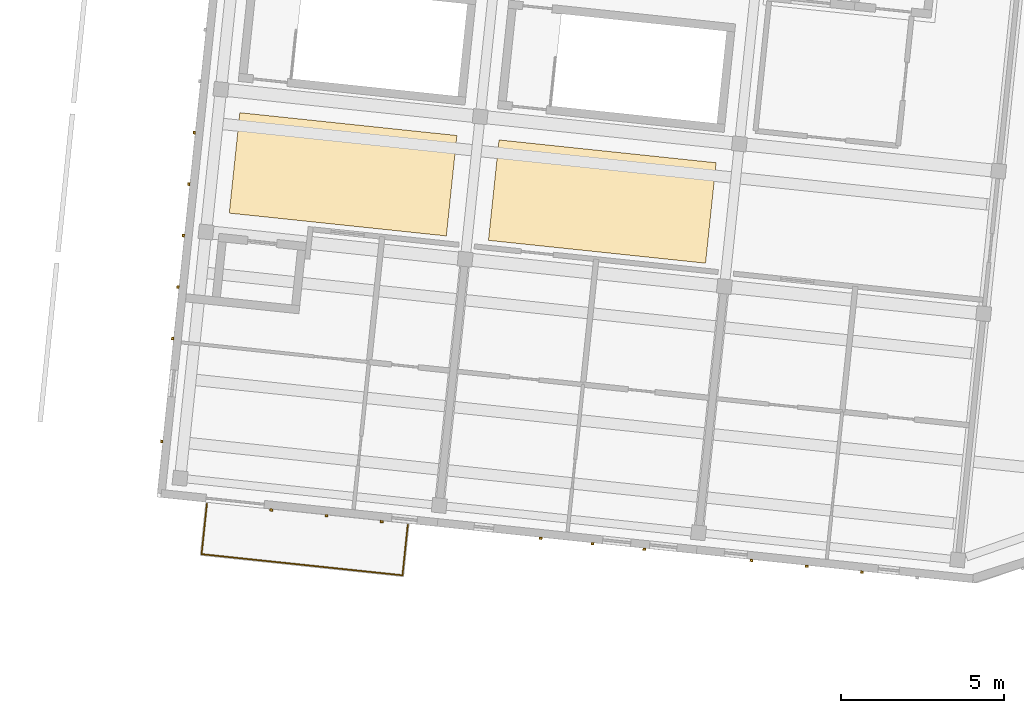
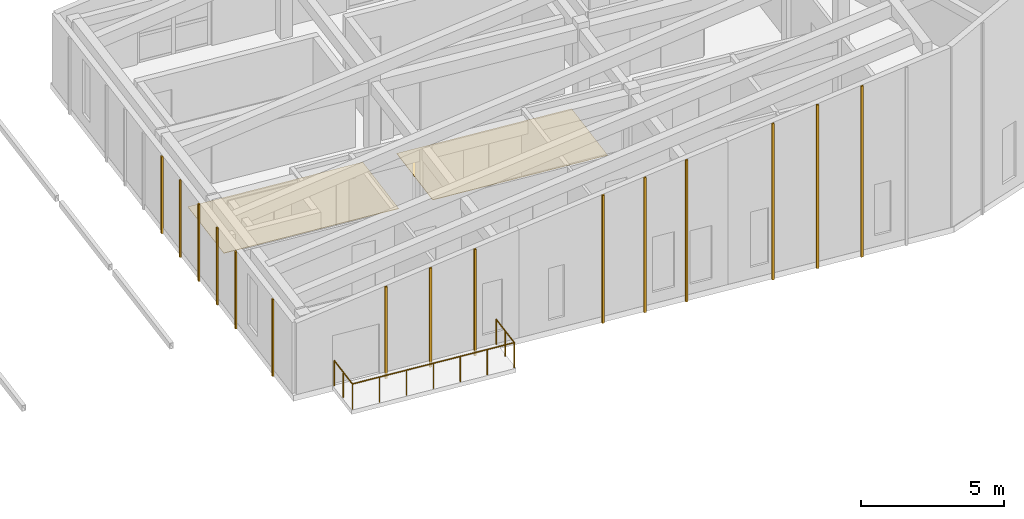
# One storey, part 28 of 31: 17 coverings, 1 railing.
"""IFC4 building model written with IfcOpenShell, lengths in metres."""

import ifcopenshell
import ifcopenshell.guid

model = None  # the IFC model being written
_history = None  # IfcOwnerHistory: only IFC2X3 demands one
_inside = {}  # id of a spatial element -> (the spatial element, [elements in it])
_under = {}  # id of a project, library or spatial element -> (it, [spatial elements below it])
_declared = {}  # id of a project -> (the project, [libraries it declares])
_typed = {}  # id of a type object -> (the type object, [elements of that type])
_made_of = {}  # id of a material, layer set ... -> (it, [elements and type objects made of it])


def new_model(schema):
    """Start an empty IFC model of exactly this schema.

    Asked for "IFC4X3", IfcOpenShell would pick the latest addendum, in which some entities
    have other attributes; the version numbers below select the first issue.
    IFC2X3 requires an IfcOwnerHistory on every rooted entity: one is made here for all.
    """
    global model, _history
    if schema == "IFC4X3":
        model = ifcopenshell.file(schema_version=(4, 3, 0, 0))
    else:
        model = ifcopenshell.file(schema=schema)
    _inside.clear()
    _under.clear()
    _declared.clear()
    _typed.clear()
    _made_of.clear()
    _history = None
    if model.schema == "IFC2X3":
        org = make("IfcOrganization", Name="unknown")
        user = make(
            "IfcPersonAndOrganization",
            ThePerson=make("IfcPerson", FamilyName="unknown"),
            TheOrganization=org,
        )
        app = make(
            "IfcApplication",
            ApplicationDeveloper=org,
            Version="unknown",
            ApplicationFullName="unknown",
            ApplicationIdentifier="unknown",
        )
        _history = make(
            "IfcOwnerHistory",
            OwningUser=user,
            OwningApplication=app,
            ChangeAction="ADDED",
            CreationDate=0,
        )
    return model


def make(cls, **values):
    """One entity of the class cls with the attributes given. An attribute that is None is left unset."""
    return model.create_entity(
        cls, **{name: value for name, value in values.items() if value is not None}
    )


def rooted(cls, **values):
    """An entity with a GlobalId (a new one), such as an element, a storey or a relation."""
    return make(cls, GlobalId=ifcopenshell.guid.new(), OwnerHistory=_history, **values)


def si_unit(unit_type, name, prefix=None):
    """IfcSIUnit, for example si_unit("LENGTHUNIT", "METRE", prefix="MILLI")."""
    return make("IfcSIUnit", UnitType=unit_type, Prefix=prefix, Name=name)


def assignment(units):
    """IfcUnitAssignment: the units of a project."""
    return None if units is None else make("IfcUnitAssignment", Units=units)


def point(xyz):
    """IfcCartesianPoint."""
    return None if xyz is None else make("IfcCartesianPoint", Coordinates=xyz)


def direction(xyz):
    """IfcDirection."""
    return None if xyz is None else make("IfcDirection", DirectionRatios=xyz)


def frame(location, z_axis=None, x_axis=None):
    """IfcAxis2Placement3D, a coordinate frame: its origin and axes. An axis left out is left unset."""
    return make(
        "IfcAxis2Placement3D",
        Location=point(location),
        Axis=direction(z_axis),
        RefDirection=direction(x_axis),
    )


def frame_2d(location, x_axis=None):
    """IfcAxis2Placement2D, a coordinate frame in the plane: its origin and x axis."""
    return make(
        "IfcAxis2Placement2D", Location=point(location), RefDirection=direction(x_axis)
    )


def origin():
    """The frame at (0, 0, 0) with its axes left unset."""
    return frame((0.0, 0.0, 0.0))


def origin_2d():
    """The frame at (0, 0) in the plane with its x axis left unset."""
    return frame_2d((0.0, 0.0))


def place(relative_to, where):
    """IfcLocalPlacement: puts the frame where relative to a parent placement (None: the world)."""
    return make(
        "IfcLocalPlacement", PlacementRelTo=relative_to, RelativePlacement=where
    )


def context(
    kind, dimensions, precision=None, world=None, true_north=None, identifier=None
):
    """IfcGeometricRepresentationContext, for example the 3D "Model" context."""
    return make(
        "IfcGeometricRepresentationContext",
        ContextIdentifier=identifier,
        ContextType=kind,
        CoordinateSpaceDimension=dimensions,
        Precision=precision,
        WorldCoordinateSystem=world,
        TrueNorth=true_north,
    )


def subcontext(parent, identifier, kind, view, scale=None):
    """IfcGeometricRepresentationSubContext, for example "Body" below "Model"."""
    return make(
        "IfcGeometricRepresentationSubContext",
        ContextIdentifier=identifier,
        ContextType=kind,
        ParentContext=parent,
        TargetScale=scale,
        TargetView=view,
    )


def project(units=None, contexts=None):
    """IfcProject with its units and contexts."""
    return rooted(
        "IfcProject",
        Name="project",
        RepresentationContexts=contexts,
        UnitsInContext=assignment(units),
    )


def spatial(cls, under=None, at=None, **own):
    """A site, building, storey or space (cls), placed at a placement, below another one or the project."""
    s = rooted(cls, ObjectPlacement=at, **own)
    if under is not None:
        _under.setdefault(under.id(), (under, []))[1].append(s)
    return s


def polyline(points):
    """IfcPolyline through the points."""
    return make("IfcPolyline", Points=[point(p) for p in points])


def profile(cls, at=None, kind="AREA", **sizes):
    """A parametric profile (cls). Its sizes go by their IFC names, for example OverallWidth=200.0."""
    return make(cls, ProfileType=kind, Position=at, **sizes)


def rectangle(**sizes):
    """IfcRectangleProfileDef."""
    return profile("IfcRectangleProfileDef", **sizes)


def circle(**sizes):
    """IfcCircleProfileDef."""
    return profile("IfcCircleProfileDef", **sizes)


def outline(outer, holes=None, kind="AREA"):
    """IfcArbitraryClosedProfileDef: a profile drawn as a closed curve; with holes, ...WithVoids."""
    if holes is None:
        return make("IfcArbitraryClosedProfileDef", ProfileType=kind, OuterCurve=outer)
    return make(
        "IfcArbitraryProfileDefWithVoids",
        ProfileType=kind,
        OuterCurve=outer,
        InnerCurves=holes,
    )


def extrude(swept, where, along, depth):
    """IfcExtrudedAreaSolid: the profile swept, set in the frame where, extruded along a direction by depth."""
    return make(
        "IfcExtrudedAreaSolid",
        SweptArea=swept,
        Position=where,
        ExtrudedDirection=direction(along),
        Depth=depth,
    )


def shape(context_of_items, identifier, shape_type, items):
    """IfcShapeRepresentation: the items that make up one representation, for example the "Body"."""
    return make(
        "IfcShapeRepresentation",
        ContextOfItems=context_of_items,
        RepresentationIdentifier=identifier,
        RepresentationType=shape_type,
        Items=items,
    )


def material(Name=None, Category=None):
    """IfcMaterial."""
    return make("IfcMaterial", Name=Name, Category=Category)


def layer(
    of_material, thickness, ventilated=None, Name=None, Category=None, Priority=None
):
    """IfcMaterialLayer: one layer of a wall or slab, of a material (None: an air gap)."""
    return make(
        "IfcMaterialLayer",
        Material=of_material,
        LayerThickness=thickness,
        IsVentilated=ventilated,
        Name=Name,
        Category=Category,
        Priority=Priority,
    )


def layer_set(layers, Name=None):
    """IfcMaterialLayerSet."""
    return make("IfcMaterialLayerSet", MaterialLayers=layers, LayerSetName=Name)


def made_of(thing, what):
    """Note that an element or type object is made of a material, layer set ...; save() writes the relation."""
    if what is not None:
        _made_of.setdefault(what.id(), (what, []))[1].append(thing)
    return thing


def type_object(cls, material=None, **own):
    """A type object (cls), such as IfcWallType, which elements share."""
    return made_of(rooted(cls, **own), material)


def element(
    cls,
    number,
    at=None,
    inside=None,
    cuts=None,
    type_object=None,
    material=None,
    context=None,
    identifier="Body",
    shape_type=None,
    held_by="IfcProductDefinitionShape",
    body=None,
    shapes=None,
    **own,
):
    """One element of the class cls, such as IfcWall. Its Tag is "e" and its number.

    at: its placement. inside: the storey or other place that contains it. cuts: it is an
    opening in that element (IfcRelVoidsElement). A single representation is given by context,
    identifier, shape_type and body (its items); several are given by shapes. held_by: the class
    of the entity that holds the representations. save() writes the other relations.
    """
    e = rooted(cls, Tag="e%d" % number, ObjectPlacement=at, **own)
    if body is not None:
        shapes = [shape(context, identifier, shape_type, body)]
    if shapes is not None:
        e.Representation = make(held_by, Representations=shapes)
    if inside is not None:
        _inside.setdefault(inside.id(), (inside, []))[1].append(e)
    if cuts is not None:
        rooted(
            "IfcRelVoidsElement", RelatingBuildingElement=cuts, RelatedOpeningElement=e
        )
    if type_object is not None:
        _typed.setdefault(type_object.id(), (type_object, []))[1].append(e)
    return made_of(e, material)


def aggregate(whole, parts):
    """IfcRelAggregates: a whole, such as a stair, and the parts it consists of."""
    return rooted("IfcRelAggregates", RelatingObject=whole, RelatedObjects=parts)


def save(model, path):
    """Write the relations noted so far, then the file.

    IfcRelAggregates (storeys below a building ...), IfcRelContainedInSpatialStructure (elements
    in a storey), IfcRelDefinesByType, IfcRelAssociatesMaterial and IfcRelDeclares: one each for
    every whole, place, type object, material and project.
    """
    for whole, parts in _under.values():
        aggregate(whole, parts)
    for where, things in _inside.values():
        rooted(
            "IfcRelContainedInSpatialStructure",
            RelatedElements=things,
            RelatingStructure=where,
        )
    for kind, things in _typed.values():
        rooted("IfcRelDefinesByType", RelatedObjects=things, RelatingType=kind)
    for what, things in _made_of.values():
        rooted("IfcRelAssociatesMaterial", RelatedObjects=things, RelatingMaterial=what)
    for by, libraries in _declared.values():
        rooted("IfcRelDeclares", RelatingContext=by, RelatedDefinitions=libraries)
    model.write(path)


model = new_model("IFC4")

# Units and contexts
model_context = context("Model", 3, precision=1e-05, world=origin(), true_north=direction((0.0, 1.0)))
body_context = subcontext(model_context, "Body", "Model", "MODEL_VIEW")
ifc_project = project(units=[si_unit("LENGTHUNIT", "METRE"), si_unit("AREAUNIT", "SQUARE_METRE"), si_unit("VOLUMEUNIT", "CUBIC_METRE"), si_unit("PLANEANGLEUNIT", "RADIAN"), si_unit("MASSUNIT", "GRAM", prefix="KILO")], contexts=[model_context])

# Site, building, storey
site_placement = place(None, origin())
site = spatial("IfcSite", under=ifc_project, at=site_placement, CompositionType="ELEMENT")
building_placement = place(site_placement, origin())
building = spatial("IfcBuilding", under=site, at=building_placement, Name="Kestramere Prow Commons", CompositionType="ELEMENT")
storey_placement = place(building_placement, frame((0.0, 0.0, 37.64990234375)))
storey = spatial("IfcBuildingStorey", under=building, at=storey_placement, Name="L11", CompositionType="ELEMENT", Elevation=37.64990234375)

# Coverings
ifc_material_1 = material(Name="Weathered Zinc-Titanium Standing-Seam Cladding")
ifc_layer_1 = layer(ifc_material_1, 0.074951171875)
ifc_layer_set_1 = layer_set([ifc_layer_1], Name="Weathered Zinc-Titanium Standing-Seam Cladding")
covering_type_1 = type_object("IfcCoveringType", Name="COV-CLAD-SEAM", PredefinedType="CLADDING", material=ifc_layer_set_1)
covering_1_placement = place(storey_placement, frame((140.05810546875, 90.95947265625, -0.25), z_axis=(0.0, 0.0, 1.0), x_axis=(-0.994521895368, 0.104528463268, 0.0)))
element("IfcCovering", 1, at=covering_1_placement, inside=storey, type_object=covering_type_1, Name="EW-B-L11-S-3 Standing-Seam Rib 1", PredefinedType="CLADDING", context=body_context, shape_type="SweptSolid", body=[
    extrude(rectangle(XDim=0.0849609375, YDim=0.06494140625, at=origin_2d()), origin(), (0.0, 0.0, 1.0), 4.552978515625),
])
covering_2_placement = place(storey_placement, frame((138.362548828125, 91.1376953125, -0.25), z_axis=(0.0, 0.0, 1.0), x_axis=(-0.994521895368, 0.104528463268, 0.0)))
element("IfcCovering", 2, at=covering_2_placement, inside=storey, type_object=covering_type_1, Name="EW-B-L11-S-3 Standing-Seam Rib 2", PredefinedType="CLADDING", context=body_context, shape_type="SweptSolid", body=[
    extrude(rectangle(XDim=0.0849609375, YDim=0.06494140625, at=origin_2d()), origin(), (0.0, 0.0, 1.0), 4.23681640625),
])
covering_3_placement = place(storey_placement, frame((136.6669921875, 91.31591796875, -0.25), z_axis=(0.0, 0.0, 1.0), x_axis=(-0.994521895368, 0.104528463268, 0.0)))
element("IfcCovering", 3, at=covering_3_placement, inside=storey, type_object=covering_type_1, Name="EW-B-L11-S-3 Standing-Seam Rib 3", PredefinedType="CLADDING", context=body_context, shape_type="SweptSolid", body=[
    extrude(rectangle(XDim=0.0849609375, YDim=0.06494140625, at=origin_2d()), origin(), (0.0, 0.0, 1.0), 3.92041015625),
])
covering_4_placement = place(storey_placement, frame((148.118896484375, 90.1123046875, -0.25), z_axis=(0.0, 0.0, 1.0), x_axis=(-0.994521895368, 0.104528463268, 0.0)))
element("IfcCovering", 4, at=covering_4_placement, inside=storey, type_object=covering_type_1, Name="EW-B-L11-S-4 Standing-Seam Rib 1", PredefinedType="CLADDING", context=body_context, shape_type="SweptSolid", body=[
    extrude(rectangle(XDim=0.0849609375, YDim=0.06494140625, at=origin_2d()), origin(), (0.0, 0.0, 1.0), 6.056884765625),
])
covering_5_placement = place(storey_placement, frame((146.527587890625, 90.279541015625, -0.25), z_axis=(0.0, 0.0, 1.0), x_axis=(-0.994521895368, 0.104528463268, 0.0)))
element("IfcCovering", 5, at=covering_5_placement, inside=storey, type_object=covering_type_1, Name="EW-B-L11-S-4 Standing-Seam Rib 2", PredefinedType="CLADDING", context=body_context, shape_type="SweptSolid", body=[
    extrude(rectangle(XDim=0.0849609375, YDim=0.06494140625, at=origin_2d()), origin(), (0.0, 0.0, 1.0), 5.760009765625),
])
covering_6_placement = place(storey_placement, frame((144.936279296875, 90.44677734375, -0.25), z_axis=(0.0, 0.0, 1.0), x_axis=(-0.994521895368, 0.104528463268, 0.0)))
element("IfcCovering", 6, at=covering_6_placement, inside=storey, type_object=covering_type_1, Name="EW-B-L11-S-4 Standing-Seam Rib 3", PredefinedType="CLADDING", context=body_context, shape_type="SweptSolid", body=[
    extrude(rectangle(XDim=0.0849609375, YDim=0.06494140625, at=origin_2d()), origin(), (0.0, 0.0, 1.0), 5.463134765625),
])
covering_7_placement = place(storey_placement, frame((154.797119140625, 89.410400390625, -0.25), z_axis=(0.0, 0.0, 1.0), x_axis=(-0.994521895368, 0.104528463268, 0.0)))
element("IfcCovering", 7, at=covering_7_placement, inside=storey, type_object=covering_type_1, Name="EW-B-L11-S-5 Standing-Seam Rib 2", PredefinedType="CLADDING", context=body_context, shape_type="SweptSolid", body=[
    extrude(rectangle(XDim=0.0849609375, YDim=0.06494140625, at=origin_2d()), origin(), (0.0, 0.0, 1.0), 7.302978515625),
])
covering_8_placement = place(storey_placement, frame((153.101318359375, 89.588623046875, -0.25), z_axis=(0.0, 0.0, 1.0), x_axis=(-0.994521895368, 0.104528463268, 0.0)))
element("IfcCovering", 8, at=covering_8_placement, inside=storey, type_object=covering_type_1, Name="EW-B-L11-S-5 Standing-Seam Rib 3", PredefinedType="CLADDING", context=body_context, shape_type="SweptSolid", body=[
    extrude(rectangle(XDim=0.0849609375, YDim=0.06494140625, at=origin_2d()), origin(), (0.0, 0.0, 1.0), 6.986572265625),
])
covering_9_placement = place(storey_placement, frame((151.40576171875, 89.766845703125, -0.25), z_axis=(0.0, 0.0, 1.0), x_axis=(-0.994521895368, 0.104528463268, 0.0)))
element("IfcCovering", 9, at=covering_9_placement, inside=storey, type_object=covering_type_1, Name="EW-B-L11-S-5 Standing-Seam Rib 4", PredefinedType="CLADDING", context=body_context, shape_type="SweptSolid", body=[
    extrude(rectangle(XDim=0.0849609375, YDim=0.06494140625, at=origin_2d()), origin(), (0.0, 0.0, 1.0), 6.670166015625),
])
for number, where, z_axis, x_axis, name in (
    (10, (133.305908203125, 93.419677734375, -0.25), (0.0, 0.0, 1.0), (0.104528463268, 0.994521895368, 0.0), "EW-B-L11-EAV Standing-Seam Rib 1"),
    (11, (133.637939453125, 96.579345703125, -0.25), (0.0, 0.0, 1.0), (0.104528463268, 0.994521895368, 0.0), "EW-B-L11-EAV Standing-Seam Rib 3"),
    (12, (133.803955078125, 98.158935546875, -0.25), (0.0, 0.0, 1.0), (0.104528463268, 0.994521895368, 0.0), "EW-B-L11-EAV Standing-Seam Rib 4"),
    (13, (133.969970703125, 99.73876953125, -0.25), (0.0, 0.0, 1.0), (0.104528463268, 0.994521895368, 0.0), "EW-B-L11-EAV Standing-Seam Rib 5"),
    (14, (134.135986328125, 101.318603515625, -0.25), (0.0, 0.0, 1.0), (0.104528463268, 0.994521895368, 0.0), "EW-B-L11-EAV Standing-Seam Rib 6"),
    (15, (134.30224609375, 102.8984375, -0.25), (0.0, 0.0, 1.0), (0.104528463268, 0.994521895368, 0.0), "EW-B-L11-EAV Standing-Seam Rib 7"),
):
    element("IfcCovering", number, at=place(storey_placement, frame(where, z_axis=z_axis, x_axis=x_axis)), inside=storey, type_object=covering_type_1, Name=name, PredefinedType="CLADDING", context=body_context, shape_type="SweptSolid", body=[
        extrude(rectangle(XDim=0.0849609375, YDim=0.06494140625, at=origin_2d()), origin(), (0.0, 0.0, 1.0), 3.28759765625),
    ])
ifc_material_2 = material(Name="Honed Cementitious Terrazzo Tile")
ifc_layer_2 = layer(ifc_material_2, 0.02001953125)
ifc_layer_set_2 = layer_set([ifc_layer_2], Name="Honed Cementitious Terrazzo Tile")
covering_type_2 = type_object("IfcCoveringType", Name="COV-FLOOR-TERRAZZO", PredefinedType="FLOORING", material=ifc_layer_set_2)
covering_10_placement = place(storey_placement, origin())
element("IfcCovering", 16, at=covering_10_placement, inside=storey, type_object=covering_type_2, Name="Block B L11 Corridor Terrazzo Flooring 4", PredefinedType="FLOORING", context=body_context, shape_type="SweptSolid", body=[
    extrude(outline(polyline([(135.37744140625, 100.42822265625), (142.04052734375, 99.727783203125), (142.36474609375, 102.810791015625), (135.701416015625, 103.51123046875), (135.37744140625, 100.42822265625)])), origin(), (0.0, 0.0, 1.0), 0.02001953125),
])
covering_11_placement = place(storey_placement, origin())
element("IfcCovering", 17, at=covering_11_placement, inside=storey, type_object=covering_type_2, Name="Block B L11 Corridor Terrazzo Flooring 5", PredefinedType="FLOORING", context=body_context, shape_type="SweptSolid", body=[
    extrude(outline(polyline([(143.33349609375, 99.592041015625), (149.996826171875, 98.8916015625), (150.32080078125, 101.974609375), (143.657470703125, 102.675048828125), (143.33349609375, 99.592041015625)])), origin(), (0.0, 0.0, 1.0), 0.02001953125),
])

# Railing
ifc_material_3 = material(Name="Powder-Coated Aluminium 6063-T6", Category="aluminium")
railing_type = type_object("IfcRailingType", Name="GRD-BALC-1100", PredefinedType="BALUSTRADE", material=ifc_material_3)
railing_placement = place(storey_placement, frame((134.69140625, 91.510986328125, 0.0)))
element("IfcRailing", 18, at=railing_placement, inside=storey, type_object=railing_type, Name="Block B L11 Balcony Guardrail 4", PredefinedType="BALUSTRADE", context=body_context, shape_type="SweptSolid", body=[
    extrude(circle(Radius=0.02392578125, at=origin_2d()), frame((0.0, 0.0, 1.076171875), z_axis=(-0.104538150424, -0.994520877159, 0.0), x_axis=(0.994520877159, -0.104538150424, 0.0)), (0.0, 0.0, 1.0), 1.56005859375),
    extrude(circle(Radius=0.02392578125, at=origin_2d()), frame((-0.1630859375, -1.551513671875, 1.076171875), z_axis=(0.99452399338, -0.104508500096, 0.0), x_axis=(0.104508500096, 0.99452399338, 0.0)), (0.0, 0.0, 1.0), 6.199951171875),
    extrude(circle(Radius=0.02392578125, at=origin_2d()), frame((6.0029296875, -2.199462890625, 1.076171875), z_axis=(0.104538150424, 0.994520877159, 0.0), x_axis=(-0.994520877159, 0.104538150424, 0.0)), (0.0, 0.0, 1.0), 1.56005859375),
    extrude(circle(Radius=0.02099609375, at=origin_2d()), origin(), (0.0, 0.0, 1.0), 1.052001953125),
    extrude(circle(Radius=0.02099609375, at=origin_2d()), frame((-0.08154296875, -0.77587890625, 0.0)), (0.0, 0.0, 1.0), 1.052001953125),
    extrude(circle(Radius=0.02099609375, at=origin_2d()), frame((-0.1630859375, -1.551513671875, 0.0)), (0.0, 0.0, 1.0), 1.052001953125),
    extrude(circle(Radius=0.02099609375, at=origin_2d()), frame((0.864501953125, -1.659423828125, 0.0)), (0.0, 0.0, 1.0), 1.052001953125),
    extrude(circle(Radius=0.02099609375, at=origin_2d()), frame((1.892333984375, -1.767578125, 0.0)), (0.0, 0.0, 1.0), 1.052001953125),
    extrude(circle(Radius=0.02099609375, at=origin_2d()), frame((2.919921875, -1.87548828125, 0.0)), (0.0, 0.0, 1.0), 1.052001953125),
    extrude(circle(Radius=0.02099609375, at=origin_2d()), frame((3.947509765625, -1.9833984375, 0.0)), (0.0, 0.0, 1.0), 1.052001953125),
    extrude(circle(Radius=0.02099609375, at=origin_2d()), frame((4.975341796875, -2.091552734375, 0.0)), (0.0, 0.0, 1.0), 1.052001953125),
    extrude(circle(Radius=0.02099609375, at=origin_2d()), frame((6.0029296875, -2.199462890625, 0.0)), (0.0, 0.0, 1.0), 1.052001953125),
    extrude(circle(Radius=0.02099609375, at=origin_2d()), frame((6.08447265625, -1.423828125, 0.0)), (0.0, 0.0, 1.0), 1.052001953125),
    extrude(circle(Radius=0.02099609375, at=origin_2d()), frame((6.166015625, -0.64794921875, 0.0)), (0.0, 0.0, 1.0), 1.052001953125),
])

save(model, "model.ifc")
